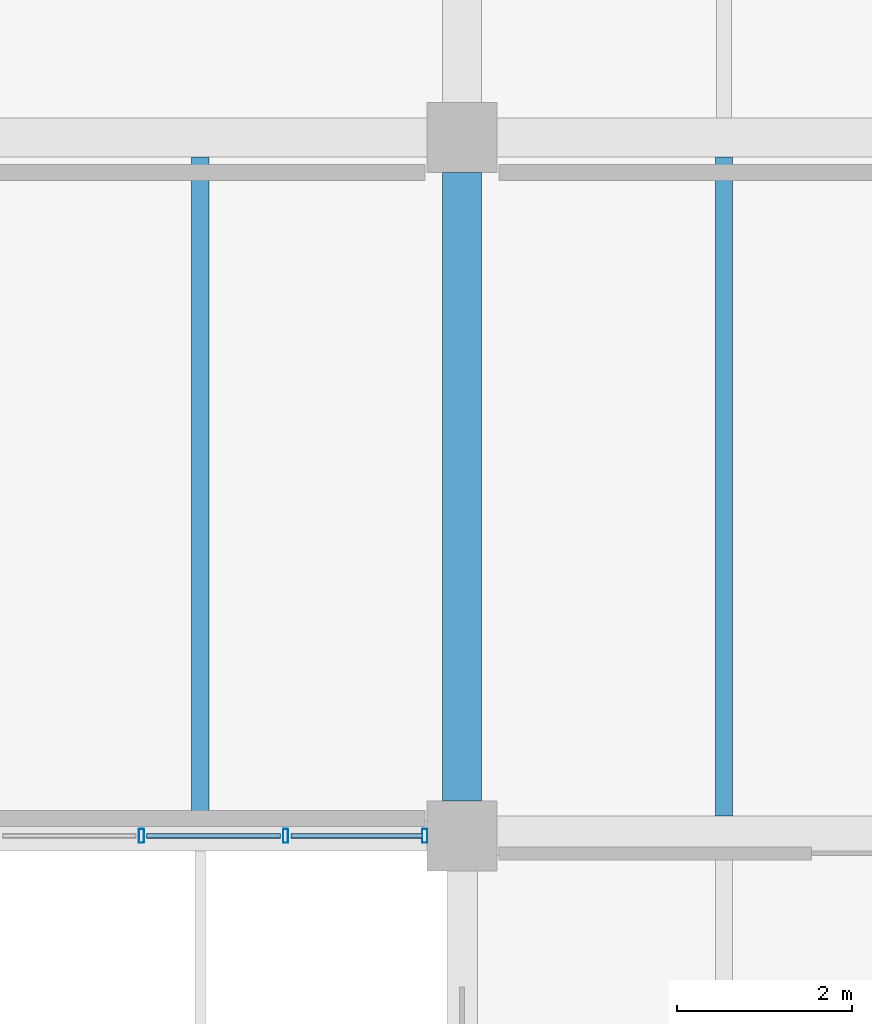
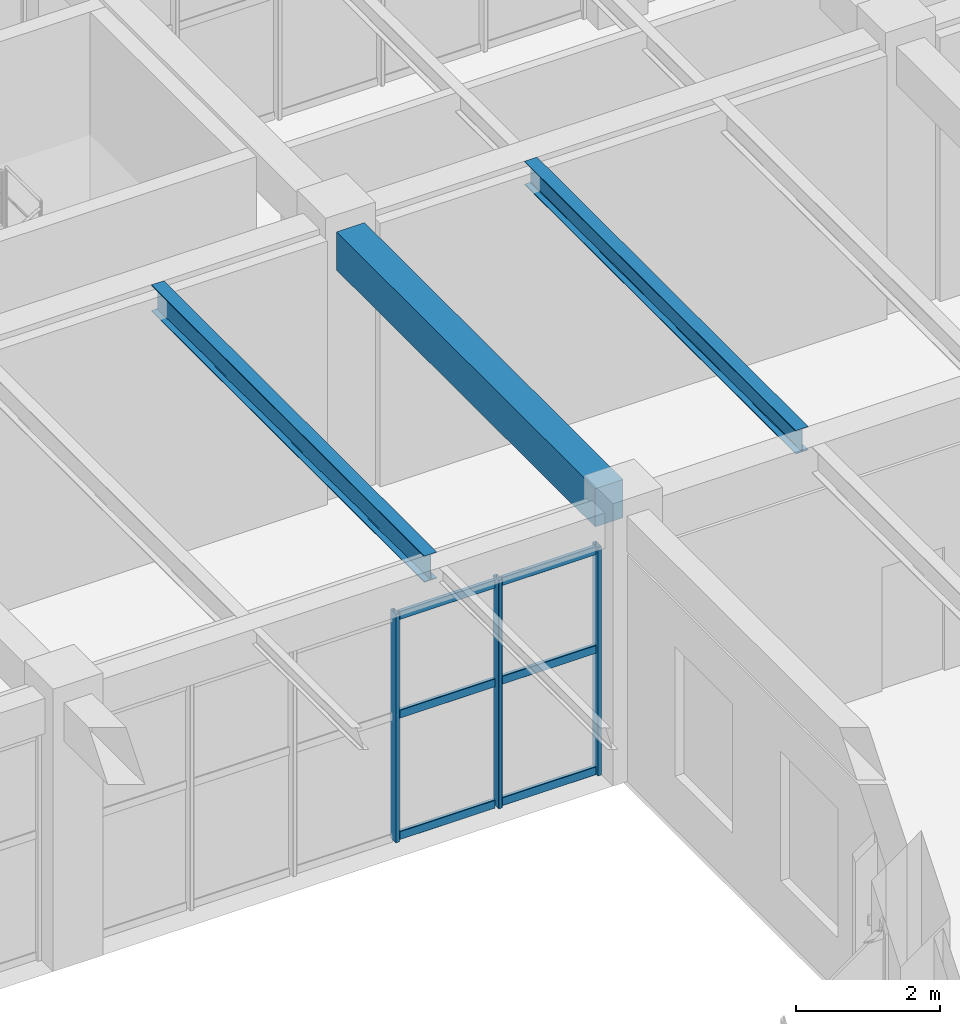
# One storey, part 91 of 178: 9 members, 3 beams, 1 element without a shape of its own.
"""IFC4 building model written with IfcOpenShell, lengths in metres."""

from ifc_helpers import new_model, si_unit, derived_unit, direction, frame, origin, origin_2d, place, context, subcontext, project, spatial, rectangle, hollow_rectangle, i_section, extrude, material, material_profile, profile_set, type_object, element, aggregate, save


model = new_model("IFC4")

# Units and contexts
model_context = context("Model", 3, precision=1e-05, world=origin(), true_north=direction((0.0, 1.0)))
body_context = subcontext(model_context, "Body", "Model", "MODEL_VIEW")
ifc_project = project(units=[si_unit("LENGTHUNIT", "METRE"), si_unit("AREAUNIT", "SQUARE_METRE"), si_unit("VOLUMEUNIT", "CUBIC_METRE"), si_unit("PLANEANGLEUNIT", "RADIAN"), si_unit("MASSUNIT", "GRAM", prefix="KILO"), derived_unit("THERMALTRANSMITTANCEUNIT", [(si_unit("MASSUNIT", "GRAM", prefix="KILO"), 1), (si_unit("TIMEUNIT", "SECOND"), -3), (si_unit("THERMODYNAMICTEMPERATUREUNIT", "KELVIN"), -1)])], contexts=[model_context])

# Site, building, storey
site_placement = place(None, origin())
site = spatial("IfcSite", under=ifc_project, at=site_placement, CompositionType="ELEMENT")
building_placement = place(site_placement, origin())
building = spatial("IfcBuilding", under=site, at=building_placement, Name="Zhenchuan Archway Interchange", CompositionType="ELEMENT")
storey_placement = place(building_placement, frame((0.0, 0.0, 5.39990234375)))
storey = spatial("IfcBuildingStorey", under=building, at=storey_placement, Name="L01", CompositionType="ELEMENT", Elevation=5.39990234375)

# Beam
ifc_material_1 = material(Name="Concrete C40", Category="concrete")
ifc_material_profile_1 = material_profile(ifc_material_1, rectangle(XDim=0.449951171875, YDim=0.64990234375, at=origin_2d()), Name="RC 450x650")
ifc_profile_set_1 = profile_set([ifc_material_profile_1], Name="Concrete C40")
beam_type_1 = type_object("IfcBeamType", Name="BM_RC_450x650", PredefinedType="BEAM", material=ifc_profile_set_1)
beam_1_placement = place(storey_placement, frame((36.0, 96.39990234375, 4.18505859375), z_axis=(0.0, 1.0, 0.0), x_axis=(-1.0, 0.0, 0.0)))
element("IfcBeam", 1, at=beam_1_placement, inside=storey, type_object=beam_type_1, Name="Beam 5:N-O (L01)", PredefinedType="BEAM", context=body_context, shape_type="SweptSolid", body=[
    extrude(rectangle(XDim=0.449951171875, YDim=0.64990234375, at=origin_2d()), origin(), (0.0, 0.0, 1.0), 7.2001953125),
])

# Curtain wall, members
ifc_material_2 = material(Name="Anodised Aluminium", Category="aluminium")
curtain_wall_type = type_object("IfcCurtainWallType", Name="CW_UNIT_4", PredefinedType="NOTDEFINED", material=ifc_material_2)
curtain_wall_placement = place(storey_placement, origin())
curtain_wall = element("IfcCurtainWall", 2, at=curtain_wall_placement, inside=storey, type_object=curtain_wall_type, Name="Unitised curtain wall CW:L01:039", PredefinedType="NOTDEFINED")
ifc_material_profile_2 = material_profile(ifc_material_2, hollow_rectangle(XDim=0.06005859375, YDim=0.159912109375, WallThickness=0.00390625, InnerFilletRadius=0.00390625, OuterFilletRadius=0.008056640625, at=origin_2d()), Name="ALU 160x60x4")
ifc_profile_set_2 = profile_set([ifc_material_profile_2], Name="Anodised Aluminium")
member_type_1 = type_object("IfcMemberType", Name="CW_MUL_150", PredefinedType="MULLION", material=ifc_profile_set_2)
member_1_placement = place(storey_placement, frame((35.572021484375, 96.0, 0.0), z_axis=(0.0, 0.0, 1.0), x_axis=(1.0, 0.0, 0.0)))
member_1 = element("IfcMember", 3, at=member_1_placement, type_object=member_type_1, Name="CW:L01:039 mullion 0", PredefinedType="MULLION", context=body_context, shape_type="SweptSolid", body=[
    extrude(hollow_rectangle(XDim=0.06005859375, YDim=0.159912109375, WallThickness=0.00390625, InnerFilletRadius=0.00390625, OuterFilletRadius=0.008056640625, at=origin_2d()), origin(), (0.0, 0.0, 1.0), 3.880126953125),
])
member_2_placement = place(storey_placement, frame((33.979248046875, 96.0, 0.0), z_axis=(0.0, 0.0, 1.0), x_axis=(1.0, 0.0, 0.0)))
member_2 = element("IfcMember", 4, at=member_2_placement, type_object=member_type_1, Name="CW:L01:039 mullion 1", PredefinedType="MULLION", context=body_context, shape_type="SweptSolid", body=[
    extrude(hollow_rectangle(XDim=0.06005859375, YDim=0.159912109375, WallThickness=0.00390625, InnerFilletRadius=0.00390625, OuterFilletRadius=0.008056640625, at=origin_2d()), origin(), (0.0, 0.0, 1.0), 3.880126953125),
])
member_3_placement = place(storey_placement, frame((32.326416015625, 96.0, 0.0), z_axis=(0.0, 0.0, 1.0), x_axis=(1.0, 0.0, 0.0)))
member_3 = element("IfcMember", 5, at=member_3_placement, type_object=member_type_1, Name="CW:L01:039 mullion 2", PredefinedType="MULLION", context=body_context, shape_type="SweptSolid", body=[
    extrude(hollow_rectangle(XDim=0.06005859375, YDim=0.159912109375, WallThickness=0.00390625, InnerFilletRadius=0.00390625, OuterFilletRadius=0.008056640625, at=origin_2d()), origin(), (0.0, 0.0, 1.0), 3.880126953125),
])
ifc_material_profile_3 = material_profile(ifc_material_2, hollow_rectangle(XDim=0.06005859375, YDim=0.139892578125, WallThickness=0.00341796875, InnerFilletRadius=0.00341796875, OuterFilletRadius=0.007080078125, at=origin_2d()), Name="ALU 140x60x3.5")
ifc_profile_set_3 = profile_set([ifc_material_profile_3], Name="Anodised Aluminium")
member_type_2 = type_object("IfcMemberType", Name="CW_TRN_140", PredefinedType="USERDEFINED", material=ifc_profile_set_3)
member_4_placement = place(storey_placement, frame((35.552001953125, 96.0, 0.06005859375), z_axis=(-1.0, 0.0, 0.0), x_axis=(0.0, -1.0, 0.0)))
member_4 = element("IfcMember", 6, at=member_4_placement, type_object=member_type_2, Name="CW:L01:039 transom 0-1", ObjectType="TRANSOM", PredefinedType="USERDEFINED", context=body_context, shape_type="SweptSolid", body=[
    extrude(hollow_rectangle(XDim=0.06005859375, YDim=0.139892578125, WallThickness=0.00341796875, InnerFilletRadius=0.00341796875, OuterFilletRadius=0.007080078125, at=origin_2d()), origin(), (0.0, 0.0, 1.0), 1.5126953125),
])
member_5_placement = place(storey_placement, frame((35.552001953125, 96.0, 2.123046875), z_axis=(-1.0, 0.0, 0.0), x_axis=(0.0, -1.0, 0.0)))
member_5 = element("IfcMember", 7, at=member_5_placement, type_object=member_type_2, Name="CW:L01:039 transom 0-2", ObjectType="TRANSOM", PredefinedType="USERDEFINED", context=body_context, shape_type="SweptSolid", body=[
    extrude(hollow_rectangle(XDim=0.06005859375, YDim=0.139892578125, WallThickness=0.00341796875, InnerFilletRadius=0.00341796875, OuterFilletRadius=0.007080078125, at=origin_2d()), origin(), (0.0, 0.0, 1.0), 1.5126953125),
])
member_6_placement = place(storey_placement, frame((35.552001953125, 96.0, 3.800048828125), z_axis=(-1.0, 0.0, 0.0), x_axis=(0.0, -1.0, 0.0)))
member_6 = element("IfcMember", 8, at=member_6_placement, type_object=member_type_2, Name="CW:L01:039 transom 0-3", ObjectType="TRANSOM", PredefinedType="USERDEFINED", context=body_context, shape_type="SweptSolid", body=[
    extrude(hollow_rectangle(XDim=0.06005859375, YDim=0.139892578125, WallThickness=0.00341796875, InnerFilletRadius=0.00341796875, OuterFilletRadius=0.007080078125, at=origin_2d()), origin(), (0.0, 0.0, 1.0), 1.5126953125),
])
member_7_placement = place(storey_placement, frame((33.919189453125, 96.0, 0.06005859375), z_axis=(-1.0, 0.0, 0.0), x_axis=(0.0, -1.0, 0.0)))
member_7 = element("IfcMember", 9, at=member_7_placement, type_object=member_type_2, Name="CW:L01:039 transom 1-1", ObjectType="TRANSOM", PredefinedType="USERDEFINED", context=body_context, shape_type="SweptSolid", body=[
    extrude(hollow_rectangle(XDim=0.06005859375, YDim=0.139892578125, WallThickness=0.00341796875, InnerFilletRadius=0.00341796875, OuterFilletRadius=0.007080078125, at=origin_2d()), origin(), (0.0, 0.0, 1.0), 1.53271484375),
])
member_8_placement = place(storey_placement, frame((33.919189453125, 96.0, 2.123046875), z_axis=(-1.0, 0.0, 0.0), x_axis=(0.0, -1.0, 0.0)))
member_8 = element("IfcMember", 10, at=member_8_placement, type_object=member_type_2, Name="CW:L01:039 transom 1-2", ObjectType="TRANSOM", PredefinedType="USERDEFINED", context=body_context, shape_type="SweptSolid", body=[
    extrude(hollow_rectangle(XDim=0.06005859375, YDim=0.139892578125, WallThickness=0.00341796875, InnerFilletRadius=0.00341796875, OuterFilletRadius=0.007080078125, at=origin_2d()), origin(), (0.0, 0.0, 1.0), 1.53271484375),
])
member_9_placement = place(storey_placement, frame((33.919189453125, 96.0, 3.800048828125), z_axis=(-1.0, 0.0, 0.0), x_axis=(0.0, -1.0, 0.0)))
member_9 = element("IfcMember", 11, at=member_9_placement, type_object=member_type_2, Name="CW:L01:039 transom 1-3", ObjectType="TRANSOM", PredefinedType="USERDEFINED", context=body_context, shape_type="SweptSolid", body=[
    extrude(hollow_rectangle(XDim=0.06005859375, YDim=0.139892578125, WallThickness=0.00341796875, InnerFilletRadius=0.00341796875, OuterFilletRadius=0.007080078125, at=origin_2d()), origin(), (0.0, 0.0, 1.0), 1.53271484375),
])
aggregate(curtain_wall, [member_1, member_2, member_3, member_4, member_5, member_6, member_7, member_8, member_9])

# Beams
ifc_material_3 = material(Name="Steel Q355", Category="steel")
ifc_material_profile_4 = material_profile(ifc_material_3, i_section(OverallWidth=0.199951171875, OverallDepth=0.39990234375, WebThickness=0.008056640625, FlangeThickness=0.012939453125, FilletRadius=0.01611328125, at=origin_2d()), Name="HN 400x200")
ifc_profile_set_4 = profile_set([ifc_material_profile_4], Name="Steel Q355")
beam_type_2 = type_object("IfcBeamType", Name="JST_STL_HN400", PredefinedType="JOIST", material=ifc_profile_set_4)
beam_2_placement = place(storey_placement, frame((39.0, 96.22509765625, 4.31005859375), z_axis=(0.0, 1.0, 0.0), x_axis=(-1.0, 0.0, 0.0)))
element("IfcBeam", 12, at=beam_2_placement, inside=storey, type_object=beam_type_2, Name="Secondary joist 5-6/N-O #1 (L01)", PredefinedType="JOIST", context=body_context, shape_type="SweptSolid", body=[
    extrude(i_section(OverallWidth=0.199951171875, OverallDepth=0.39990234375, WebThickness=0.008056640625, FlangeThickness=0.012939453125, FilletRadius=0.01611328125, at=origin_2d()), origin(), (0.0, 0.0, 1.0), 7.5498046875),
])
ifc_material_profile_5 = material_profile(ifc_material_3, i_section(OverallWidth=0.199951171875, OverallDepth=0.449951171875, WebThickness=0.009033203125, FlangeThickness=0.013916015625, FilletRadius=0.01806640625, at=origin_2d()), Name="HN 450x200")
ifc_profile_set_5 = profile_set([ifc_material_profile_5], Name="Steel Q355")
beam_type_3 = type_object("IfcBeamType", Name="JST_STL_HN450", PredefinedType="JOIST", material=ifc_profile_set_5)
beam_3_placement = place(storey_placement, frame((33.0, 96.175048828125, 4.28515625), z_axis=(0.0, 1.0, 0.0), x_axis=(-1.0, 0.0, 0.0)))
element("IfcBeam", 13, at=beam_3_placement, inside=storey, type_object=beam_type_3, Name="Secondary joist 4-5/N-O #2 (L01)", PredefinedType="JOIST", context=body_context, shape_type="SweptSolid", body=[
    extrude(i_section(OverallWidth=0.199951171875, OverallDepth=0.449951171875, WebThickness=0.009033203125, FlangeThickness=0.013916015625, FilletRadius=0.01806640625, at=origin_2d()), origin(), (0.0, 0.0, 1.0), 7.599853515625),
])

save(model, "model.ifc")
